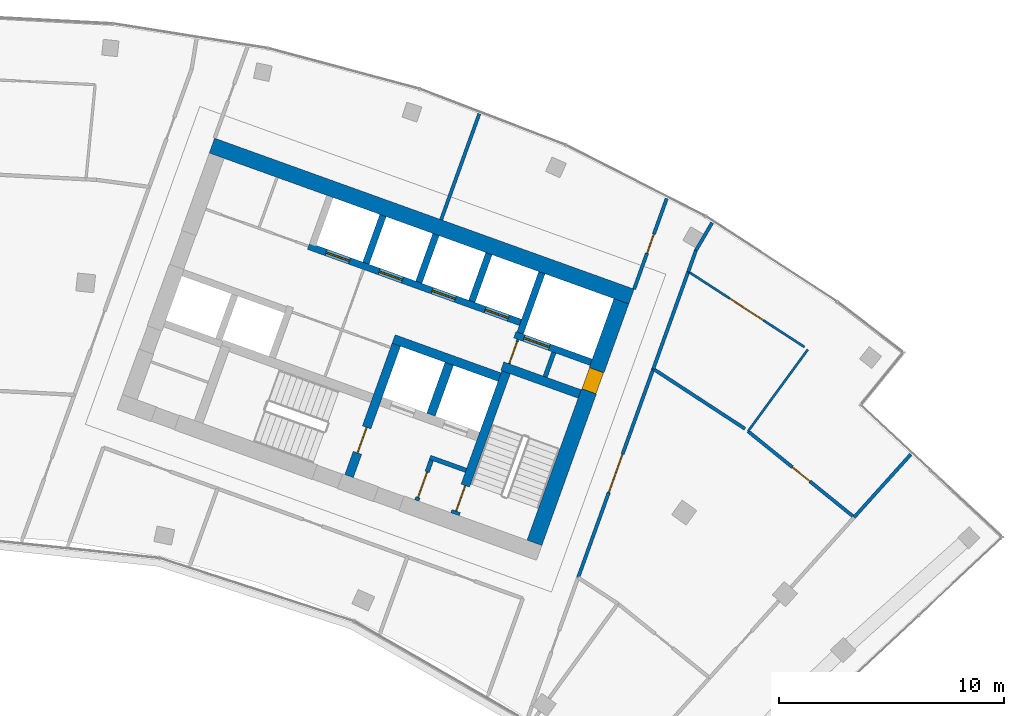
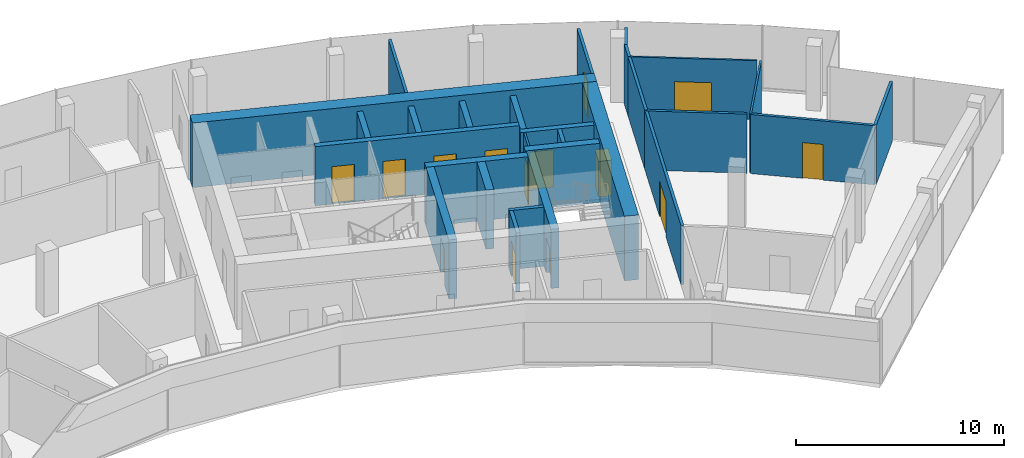
# One storey, part 16 of 18: 28 walls, 14 doors, 14 openings.
"""IFC4 building model written with IfcOpenShell, lengths in metres."""

from ifc_helpers import new_model, si_unit, direction, frame, frame_2d, origin, place, context, subcontext, project, spatial, rectangle, extrude, material, layer, layer_set, type_object, element, fill, save


model = new_model("IFC4")

# Units and contexts
model_context = context("Model", 3, precision=1e-05, world=origin(), true_north=direction((0.0, 1.0)))
body_context = subcontext(model_context, "Body", "Model", "MODEL_VIEW")
ifc_project = project(units=[si_unit("LENGTHUNIT", "METRE"), si_unit("AREAUNIT", "SQUARE_METRE"), si_unit("VOLUMEUNIT", "CUBIC_METRE"), si_unit("PLANEANGLEUNIT", "RADIAN"), si_unit("MASSUNIT", "GRAM", prefix="KILO")], contexts=[model_context])

# Site, building, storey
site_placement = place(None, origin())
site = spatial("IfcSite", under=ifc_project, at=site_placement, CompositionType="ELEMENT")
building_placement = place(site_placement, origin())
building = spatial("IfcBuilding", under=site, at=building_placement, Name="Stone Belt Terrace Tower", CompositionType="ELEMENT")
storey_placement = place(building_placement, frame((0.0, 0.0, 261.800048828125)))
storey = spatial("IfcBuildingStorey", under=building, at=storey_placement, Name="L63", CompositionType="ELEMENT", Elevation=261.800048828125)

# Wall, opening, door
ifc_material_1 = material(Name="Plasterboard partition")
ifc_layer_1 = layer(ifc_material_1, 0.10009765625)
ifc_layer_set_1 = layer_set([ifc_layer_1], Name="Core partition 100")
wall_type_1 = type_object("IfcWallType", Name="Core partition 100", PredefinedType="PARTITIONING", material=ifc_layer_set_1)
wall_1_placement = place(storey_placement, frame((24.555908203125, 51.10400390625, 0.0), z_axis=(0.0, 0.0, 1.0), x_axis=(0.338621735342, 0.94092258999, 0.0)))
wall_1 = element("IfcWall", 1, at=wall_1_placement, inside=storey, type_object=wall_type_1, Name="Core B wall", PredefinedType="PARTITIONING", context=body_context, shape_type="SweptSolid", body=[
    extrude(rectangle(XDim=1.14990234375, YDim=0.10009765625, at=frame_2d((0.574951171875, 0.0))), origin(), (0.0, 0.0, 1.0), 3.47998046875),
])
opening_1_placement = place(wall_1_placement, frame((0.050048828125, 0.0, 0.0)))
opening_1 = element("IfcOpeningElement", 2, at=opening_1_placement, cuts=wall_1, Name="Opening L63-C21", PredefinedType="OPENING", context=body_context, shape_type="SweptSolid", body=[
    extrude(rectangle(XDim=1.0, YDim=2.10009765625, at=frame_2d((0.5, 1.050048828125))), frame((0.0, 0.06005859375, 0.0), z_axis=(0.0, -1.0, 0.0), x_axis=(1.0, 0.0, 0.0)), (0.0, 0.0, 1.0), 0.1201171875),
])
ifc_material_2 = material(Name="Timber door leaf", Category="wood")
door_type_1 = type_object("IfcDoorType", Name="Core room door 1000", OperationType="SINGLE_SWING_LEFT", PredefinedType="DOOR", material=ifc_material_2)
door_1_placement = place(opening_1_placement, origin())
door_1 = element("IfcDoor", 3, at=door_1_placement, inside=storey, type_object=door_type_1, Name="Service lift lobby door core B", OperationType="SINGLE_SWING_LEFT", OverallHeight=2.10009765625, OverallWidth=1.0, PredefinedType="DOOR", context=body_context, shape_type="SweptSolid", body=[
    extrude(rectangle(XDim=1.0, YDim=2.10009765625, at=frame_2d((0.5, 1.050048828125))), frame((0.0, 0.02490234375, 0.0), z_axis=(0.0, -1.0, 0.0), x_axis=(1.0, 0.0, 0.0)), (0.0, 0.0, 1.0), 0.050048828125),
])
fill(opening_1, door_1)

# Wall
ifc_material_3 = material(Name="Concrete B60", Category="concrete")
ifc_layer_2 = layer(ifc_material_3, 0.699951171875)
ifc_layer_set_2 = layer_set([ifc_layer_2], Name="Core wall 700 B60")
wall_type_2 = type_object("IfcWallType", Name="Core wall 700 B60", PredefinedType="SHEAR", material=ifc_layer_set_2)
wall_2_placement = place(storey_placement, frame((11.35791015625, 60.795654296875, 0.0), z_axis=(0.0, 0.0, 1.0), x_axis=(0.940919787944, -0.33862952124, 0.0)))
element("IfcWall", 4, at=wall_2_placement, inside=storey, type_object=wall_type_2, Name="Core B wall convex L63", PredefinedType="SHEAR", context=body_context, shape_type="SweptSolid", body=[
    extrude(rectangle(XDim=19.7998046875, YDim=0.699951171875, at=frame_2d((9.89990234375, 0.0))), origin(), (0.0, 0.0, 1.0), 3.800048828125),
])

# Wall, opening, door
wall_3_placement = place(storey_placement, frame((25.679931640625, 43.153564453125, 0.0), z_axis=(0.0, 0.0, 1.0), x_axis=(0.338625431531, 0.940921259788, 0.0)))
wall_3 = element("IfcWall", 5, at=wall_3_placement, inside=storey, type_object=wall_type_2, Name="Core B wall end_b L63", PredefinedType="SHEAR", context=body_context, shape_type="SweptSolid", body=[
    extrude(rectangle(XDim=11.400146484375, YDim=0.699951171875, at=frame_2d((5.7001953125, 0.0))), origin(), (0.0, 0.0, 1.0), 3.800048828125),
])
opening_2_placement = place(wall_3_placement, frame((7.14990234375, 0.0, 0.0)))
opening_2 = element("IfcOpeningElement", 6, at=opening_2_placement, cuts=wall_3, Name="Opening L63-C20", PredefinedType="OPENING", context=body_context, shape_type="SweptSolid", body=[
    extrude(rectangle(XDim=1.0, YDim=2.10009765625, at=frame_2d((0.5, 1.050048828125))), frame((0.0, 0.35986328125, 0.0), z_axis=(0.0, -1.0, 0.0), x_axis=(1.0, 0.0, 0.0)), (0.0, 0.0, 1.0), 0.719970703125),
])
door_2_placement = place(opening_2_placement, origin())
door_2 = element("IfcDoor", 7, at=door_2_placement, inside=storey, type_object=door_type_1, Name="Door to Telecommunications riser room core B", OperationType="SINGLE_SWING_RIGHT", OverallHeight=2.10009765625, OverallWidth=1.0, PredefinedType="DOOR", context=body_context, shape_type="SweptSolid", body=[
    extrude(rectangle(XDim=1.0, YDim=2.10009765625, at=frame_2d((0.5, 1.050048828125))), frame((0.0, 0.330078125, 0.0), z_axis=(0.0, -1.0, 0.0), x_axis=(1.0, 0.0, 0.0)), (0.0, 0.0, 1.0), 0.659912109375),
])
fill(opening_2, door_2)

# Walls
ifc_material_4 = material(Name="Concrete B80", Category="concrete")
ifc_layer_3 = layer(ifc_material_4, 0.39990234375)
ifc_layer_set_3 = layer_set([ifc_layer_3], Name="Fire-fighting lift shaft wall 400")
wall_type_3 = type_object("IfcWallType", Name="Fire-fighting lift shaft wall 400", PredefinedType="SHEAR", material=ifc_layer_set_3)
wall_4_placement = place(storey_placement, frame((24.130615234375, 50.512939453125, 0.0), z_axis=(0.0, 0.0, 1.0), x_axis=(-0.94091168377, 0.338652038744, 0.0)))
element("IfcWall", 8, at=wall_4_placement, inside=storey, type_object=wall_type_3, Name="Core B wall", PredefinedType="SHEAR", context=body_context, shape_type="SweptSolid", body=[
    extrude(rectangle(XDim=5.000244140625, YDim=0.39990234375, at=frame_2d((2.5, 0.0))), origin(), (0.0, 0.0, 1.0), 3.47998046875),
])
wall_5_placement = place(storey_placement, frame((21.0859375, 48.845458984375, 0.0), z_axis=(0.0, 0.0, 1.0), x_axis=(0.338629416206, 0.940919825745, 0.0)))
element("IfcWall", 9, at=wall_5_placement, inside=storey, type_object=wall_type_3, Name="Core B wall", PredefinedType="SHEAR", context=body_context, shape_type="SweptSolid", body=[
    extrude(rectangle(XDim=2.400146484375, YDim=0.39990234375, at=frame_2d((1.2001953125, 0.0))), origin(), (0.0, 0.0, 1.0), 3.47998046875),
])

# Wall, opening, door
ifc_layer_4 = layer(ifc_material_4, 0.300048828125)
ifc_layer_set_4 = layer_set([ifc_layer_4], Name="Lift shaft wall 300")
wall_type_4 = type_object("IfcWallType", Name="Lift shaft wall 300", PredefinedType="SHEAR", material=ifc_layer_set_4)
wall_6_placement = place(storey_placement, frame((28.195068359375, 51.17578125, 0.0), z_axis=(0.0, 0.0, 1.0), x_axis=(-0.940901243567, 0.338681044427, 0.0)))
wall_6 = element("IfcWall", 10, at=wall_6_placement, inside=storey, type_object=wall_type_4, Name="Core B wall", PredefinedType="SHEAR", context=body_context, shape_type="SweptSolid", body=[
    extrude(rectangle(XDim=3.599853515625, YDim=0.300048828125, at=frame_2d((1.7998046875, 0.0))), origin(), (0.0, 0.0, 1.0), 3.47998046875),
])
opening_3_placement = place(wall_6_placement, frame((1.969970703125, 0.0, 0.0)))
opening_3 = element("IfcOpeningElement", 11, at=opening_3_placement, cuts=wall_6, Name="Opening L63-LD14", PredefinedType="OPENING", context=body_context, shape_type="SweptSolid", body=[
    extrude(rectangle(XDim=1.199951171875, YDim=2.199951171875, at=frame_2d((0.60009765625, 1.10009765625))), frame((0.0, 0.159912109375, 0.0), z_axis=(0.0, -1.0, 0.0), x_axis=(1.0, 0.0, 0.0)), (0.0, 0.0, 1.0), 0.320068359375),
])
ifc_material_5 = material(Name="Stainless steel door leaf", Category="steel")
door_type_2 = type_object("IfcDoorType", Name="Landing door 1200", OperationType="SLIDING_TO_LEFT", PredefinedType="DOOR", material=ifc_material_5)
door_3_placement = place(opening_3_placement, origin())
door_3 = element("IfcDoor", 12, at=door_3_placement, inside=storey, type_object=door_type_2, Name="Landing door SV1 core B", OperationType="SLIDING_TO_LEFT", OverallHeight=2.199951171875, OverallWidth=1.199951171875, PredefinedType="DOOR", context=body_context, shape_type="SweptSolid", body=[
    extrude(rectangle(XDim=1.199951171875, YDim=2.199951171875, at=frame_2d((0.60009765625, 1.10009765625))), frame((0.0, 0.02490234375, 0.0), z_axis=(0.0, -1.0, 0.0), x_axis=(1.0, 0.0, 0.0)), (0.0, 0.0, 1.0), 0.050048828125),
])
fill(opening_3, door_3)

# Wall
wall_7_placement = place(storey_placement, frame((25.046875, 52.46826171875, 0.0), z_axis=(0.0, 0.0, 1.0), x_axis=(0.338549588058, 0.940948551423, 0.0)))
element("IfcWall", 13, at=wall_7_placement, inside=storey, type_object=wall_type_4, Name="Core B wall", PredefinedType="SHEAR", context=body_context, shape_type="SweptSolid", body=[
    extrude(rectangle(XDim=2.849853515625, YDim=0.300048828125, at=frame_2d((1.4248046875, 0.0))), origin(), (0.0, 0.0, 1.0), 3.47998046875),
])

# Wall, openings, doors
wall_8_placement = place(storey_placement, frame((25.05810546875, 52.9423828125, 0.0), z_axis=(0.0, 0.0, 1.0), x_axis=(-0.940924441602, 0.338616590255, 0.0)))
wall_8 = element("IfcWall", 14, at=wall_8_placement, inside=storey, type_object=wall_type_4, Name="Core B wall", PredefinedType="SHEAR", context=body_context, shape_type="SweptSolid", body=[
    extrude(rectangle(XDim=10.000244140625, YDim=0.300048828125, at=frame_2d((5.0, 0.0))), origin(), (0.0, 0.0, 1.0), 3.47998046875),
])
opening_4_placement = place(wall_8_placement, frame((0.570068359375, 0.0, 0.0)))
opening_4 = element("IfcOpeningElement", 15, at=opening_4_placement, cuts=wall_8, Name="Opening L63-LD08", PredefinedType="OPENING", context=body_context, shape_type="SweptSolid", body=[
    extrude(rectangle(XDim=1.10009765625, YDim=2.199951171875, at=frame_2d((0.550048828125, 1.10009765625))), frame((0.0, 0.159912109375, 0.0), z_axis=(0.0, -1.0, 0.0), x_axis=(1.0, 0.0, 0.0)), (0.0, 0.0, 1.0), 0.320068359375),
])
opening_5_placement = place(wall_8_placement, frame((3.070068359375, 0.0, 0.0)))
opening_5 = element("IfcOpeningElement", 16, at=opening_5_placement, cuts=wall_8, Name="Opening L63-LD09", PredefinedType="OPENING", context=body_context, shape_type="SweptSolid", body=[
    extrude(rectangle(XDim=1.10009765625, YDim=2.199951171875, at=frame_2d((0.550048828125, 1.10009765625))), frame((0.0, 0.159912109375, 0.0), z_axis=(0.0, -1.0, 0.0), x_axis=(1.0, 0.0, 0.0)), (0.0, 0.0, 1.0), 0.320068359375),
])
opening_6_placement = place(wall_8_placement, frame((5.570068359375, 0.0, 0.0)))
opening_6 = element("IfcOpeningElement", 17, at=opening_6_placement, cuts=wall_8, Name="Opening L63-LD10", PredefinedType="OPENING", context=body_context, shape_type="SweptSolid", body=[
    extrude(rectangle(XDim=1.10009765625, YDim=2.199951171875, at=frame_2d((0.550048828125, 1.10009765625))), frame((0.0, 0.159912109375, 0.0), z_axis=(0.0, -1.0, 0.0), x_axis=(1.0, 0.0, 0.0)), (0.0, 0.0, 1.0), 0.320068359375),
])
opening_7_placement = place(wall_8_placement, frame((8.070068359375, 0.0, 0.0)))
opening_7 = element("IfcOpeningElement", 18, at=opening_7_placement, cuts=wall_8, Name="Opening L63-LD11", PredefinedType="OPENING", context=body_context, shape_type="SweptSolid", body=[
    extrude(rectangle(XDim=1.10009765625, YDim=2.199951171875, at=frame_2d((0.550048828125, 1.10009765625))), frame((0.0, 0.159912109375, 0.0), z_axis=(0.0, -1.0, 0.0), x_axis=(1.0, 0.0, 0.0)), (0.0, 0.0, 1.0), 0.320068359375),
])
door_type_3 = type_object("IfcDoorType", Name="Landing door 1100", OperationType="SLIDING_TO_LEFT", PredefinedType="DOOR", material=ifc_material_5)
door_4_placement = place(opening_4_placement, origin())
door_4 = element("IfcDoor", 19, at=door_4_placement, inside=storey, type_object=door_type_3, Name="Landing door HR1 core B", OperationType="SLIDING_TO_LEFT", OverallHeight=2.199951171875, OverallWidth=1.10009765625, PredefinedType="DOOR", context=body_context, shape_type="SweptSolid", body=[
    extrude(rectangle(XDim=1.10009765625, YDim=2.199951171875, at=frame_2d((0.550048828125, 1.10009765625))), frame((0.0, 0.02490234375, 0.0), z_axis=(0.0, -1.0, 0.0), x_axis=(1.0, 0.0, 0.0)), (0.0, 0.0, 1.0), 0.050048828125),
])
fill(opening_4, door_4)
door_5_placement = place(opening_5_placement, origin())
door_5 = element("IfcDoor", 20, at=door_5_placement, inside=storey, type_object=door_type_3, Name="Landing door HR2 core B", OperationType="SLIDING_TO_LEFT", OverallHeight=2.199951171875, OverallWidth=1.10009765625, PredefinedType="DOOR", context=body_context, shape_type="SweptSolid", body=[
    extrude(rectangle(XDim=1.10009765625, YDim=2.199951171875, at=frame_2d((0.550048828125, 1.10009765625))), frame((0.0, 0.02490234375, 0.0), z_axis=(0.0, -1.0, 0.0), x_axis=(1.0, 0.0, 0.0)), (0.0, 0.0, 1.0), 0.050048828125),
])
fill(opening_5, door_5)
door_6_placement = place(opening_6_placement, origin())
door_6 = element("IfcDoor", 21, at=door_6_placement, inside=storey, type_object=door_type_3, Name="Landing door HR3 core B", OperationType="SLIDING_TO_LEFT", OverallHeight=2.199951171875, OverallWidth=1.10009765625, PredefinedType="DOOR", context=body_context, shape_type="SweptSolid", body=[
    extrude(rectangle(XDim=1.10009765625, YDim=2.199951171875, at=frame_2d((0.550048828125, 1.10009765625))), frame((0.0, 0.02490234375, 0.0), z_axis=(0.0, -1.0, 0.0), x_axis=(1.0, 0.0, 0.0)), (0.0, 0.0, 1.0), 0.050048828125),
])
fill(opening_6, door_6)
door_7_placement = place(opening_7_placement, origin())
door_7 = element("IfcDoor", 22, at=door_7_placement, inside=storey, type_object=door_type_3, Name="Landing door HR4 core B", OperationType="SLIDING_TO_LEFT", OverallHeight=2.199951171875, OverallWidth=1.10009765625, PredefinedType="DOOR", context=body_context, shape_type="SweptSolid", body=[
    extrude(rectangle(XDim=1.10009765625, YDim=2.199951171875, at=frame_2d((0.550048828125, 1.10009765625))), frame((0.0, 0.02490234375, 0.0), z_axis=(0.0, -1.0, 0.0), x_axis=(1.0, 0.0, 0.0)), (0.0, 0.0, 1.0), 0.050048828125),
])
fill(opening_7, door_7)

# Walls
wall_9_placement = place(storey_placement, frame((22.897705078125, 53.87939453125, 0.0), z_axis=(0.0, 0.0, 1.0), x_axis=(0.338535034312, 0.940953787677, 0.0)))
element("IfcWall", 23, at=wall_9_placement, inside=storey, type_object=wall_type_4, Name="Core B wall", PredefinedType="SHEAR", context=body_context, shape_type="SweptSolid", body=[
    extrude(rectangle(XDim=2.25, YDim=0.300048828125, at=frame_2d((1.125, 0.0))), origin(), (0.0, 0.0, 1.0), 3.47998046875),
])
wall_10_placement = place(storey_placement, frame((20.54541015625, 54.72607421875, 0.0), z_axis=(0.0, 0.0, 1.0), x_axis=(0.338569601369, 0.940941350472, 0.0)))
element("IfcWall", 24, at=wall_10_placement, inside=storey, type_object=wall_type_4, Name="Core B wall", PredefinedType="SHEAR", context=body_context, shape_type="SweptSolid", body=[
    extrude(rectangle(XDim=2.249755859375, YDim=0.300048828125, at=frame_2d((1.125, 0.0))), origin(), (0.0, 0.0, 1.0), 3.47998046875),
])
wall_11_placement = place(storey_placement, frame((18.193115234375, 55.572509765625, 0.0), z_axis=(0.0, 0.0, 1.0), x_axis=(0.338535034312, 0.940953787677, 0.0)))
element("IfcWall", 25, at=wall_11_placement, inside=storey, type_object=wall_type_4, Name="Core B wall", PredefinedType="SHEAR", context=body_context, shape_type="SweptSolid", body=[
    extrude(rectangle(XDim=2.25, YDim=0.300048828125, at=frame_2d((1.125, 0.0))), origin(), (0.0, 0.0, 1.0), 3.47998046875),
])
ifc_material_6 = material(Name="Gypsum board partition")
ifc_layer_5 = layer(ifc_material_6, 0.10009765625)
ifc_layer_set_5 = layer_set([ifc_layer_5], Name="PARTITION 100")
wall_type_5 = type_object("IfcWallType", Name="PARTITION 100", PredefinedType="PARTITIONING", material=ifc_layer_set_5)
wall_12_placement = place(storey_placement, frame((35.1669921875, 48.10791015625, 0.0), z_axis=(0.0, 0.0, 1.0), x_axis=(0.590276391842, 0.807201202448, 0.0)))
element("IfcWall", 26, at=wall_12_placement, inside=storey, type_object=wall_type_5, Name="L63/wall/i071", PredefinedType="PARTITIONING", context=body_context, shape_type="SweptSolid", body=[
    extrude(rectangle(XDim=4.49951171875, YDim=0.10009765625, at=frame_2d((2.249755859375, 0.0))), origin(), (0.0, 0.0, 1.0), 3.47998046875),
])

# Wall, opening, door
wall_13_placement = place(storey_placement, frame((37.672119140625, 51.85107421875, 0.0), z_axis=(0.0, 0.0, 1.0), x_axis=(-0.838784432024, 0.544463659572, 0.0)))
wall_13 = element("IfcWall", 27, at=wall_13_placement, inside=storey, type_object=wall_type_5, Name="L63/wall/i072", PredefinedType="PARTITIONING", context=body_context, shape_type="SweptSolid", body=[
    extrude(rectangle(XDim=6.15087890625, YDim=0.10009765625, at=frame_2d((3.075439453125, 0.0))), origin(), (0.0, 0.0, 1.0), 3.47998046875),
])
opening_8_placement = place(wall_13_placement, frame((2.17529296875, 0.0, 0.0)))
opening_8 = element("IfcOpeningElement", 28, at=opening_8_placement, cuts=wall_13, Name="Opening D-E1-23", PredefinedType="OPENING", context=body_context, shape_type="SweptSolid", body=[
    extrude(rectangle(XDim=1.800048828125, YDim=2.10009765625, at=frame_2d((0.89990234375, 1.050048828125))), frame((0.0, 0.06005859375, 0.0), z_axis=(0.0, -1.0, 0.0), x_axis=(1.0, 0.0, 0.0)), (0.0, 0.0, 1.0), 0.1201171875),
])
door_type_4 = type_object("IfcDoorType", Name="DOUBLE DOOR 1800 X 2100", OperationType="DOUBLE_DOOR_SINGLE_SWING", PredefinedType="DOOR", material=ifc_material_2)
door_8_placement = place(opening_8_placement, origin())
door_8 = element("IfcDoor", 29, at=door_8_placement, inside=storey, type_object=door_type_4, Name="L63/door/i23", OperationType="DOUBLE_DOOR_SINGLE_SWING", OverallHeight=2.10009765625, OverallWidth=1.800048828125, PredefinedType="DOOR", context=body_context, shape_type="SweptSolid", body=[
    extrude(rectangle(XDim=1.800048828125, YDim=2.10009765625, at=frame_2d((0.89990234375, 1.050048828125))), frame((0.0, 0.02490234375, 0.0), z_axis=(0.0, -1.0, 0.0), x_axis=(1.0, 0.0, 0.0)), (0.0, 0.0, 1.0), 0.050048828125),
])
fill(opening_8, door_8)

ifc_layer_6 = layer(ifc_material_6, 0.14990234375)
ifc_layer_set_6 = layer_set([ifc_layer_6], Name="PARTITION 150 EI 60")
wall_type_6 = type_object("IfcWallType", Name="PARTITION 150 EI 60", PredefinedType="PARTITIONING", material=ifc_layer_set_6)
wall_14_placement = place(storey_placement, frame((30.10595703125, 54.4208984375, 0.0), z_axis=(0.0, 0.0, 1.0), x_axis=(0.338725523051, 0.940885232127, 0.0)))
wall_14 = element("IfcWall", 30, at=wall_14_placement, inside=storey, type_object=wall_type_6, Name="L63/wall/i029", PredefinedType="PARTITIONING", context=body_context, shape_type="SweptSolid", body=[
    extrude(rectangle(XDim=4.283447265625, YDim=0.14990234375, at=frame_2d((2.1416015625, 0.0))), origin(), (0.0, 0.0, 1.0), 3.47998046875),
])
opening_9_placement = place(wall_14_placement, frame((1.691650390625, 0.0, 0.0)))
opening_9 = element("IfcOpeningElement", 31, at=opening_9_placement, cuts=wall_14, Name="Opening D-E1-10", PredefinedType="OPENING", context=body_context, shape_type="SweptSolid", body=[
    extrude(rectangle(XDim=0.89990234375, YDim=2.10009765625, at=frame_2d((0.449951171875, 1.050048828125))), frame((0.0, 0.0849609375, 0.0), z_axis=(0.0, -1.0, 0.0), x_axis=(1.0, 0.0, 0.0)), (0.0, 0.0, 1.0), 0.169921875),
])
door_type_5 = type_object("IfcDoorType", Name="OFFICE DOOR 900 X 2100", OperationType="NOTDEFINED", PredefinedType="DOOR", material=ifc_material_2)
door_9_placement = place(opening_9_placement, origin())
door_9 = element("IfcDoor", 32, at=door_9_placement, inside=storey, type_object=door_type_5, Name="L63/door/i10", OperationType="SINGLE_SWING_RIGHT", OverallHeight=2.10009765625, OverallWidth=0.89990234375, PredefinedType="DOOR", context=body_context, shape_type="SweptSolid", body=[
    extrude(rectangle(XDim=0.89990234375, YDim=2.10009765625, at=frame_2d((0.449951171875, 1.050048828125))), frame((0.0, 0.02490234375, 0.0), z_axis=(0.0, -1.0, 0.0), x_axis=(1.0, 0.0, 0.0)), (0.0, 0.0, 1.0), 0.050048828125),
])
fill(opening_9, door_9)

# Walls
wall_15_placement = place(storey_placement, frame((33.576416015625, 57.37841796875, 0.0), z_axis=(0.0, 0.0, 1.0), x_axis=(-0.505064935992, -0.863081346358, 0.0)))
element("IfcWall", 33, at=wall_15_placement, inside=storey, type_object=wall_type_6, Name="L63/wall/i032", PredefinedType="PARTITIONING", context=body_context, shape_type="SweptSolid", body=[
    extrude(rectangle(XDim=1.43603515625, YDim=0.14990234375, at=frame_2d((0.718017578125, 0.0))), origin(), (0.0, 0.0, 1.0), 3.47998046875),
])
wall_16_placement = place(storey_placement, frame((32.85107421875, 56.138916015625, 0.0), z_axis=(0.0, 0.0, 1.0), x_axis=(-0.338676421288, -0.940902907671, 0.0)))
element("IfcWall", 34, at=wall_16_placement, inside=storey, type_object=wall_type_6, Name="L63/wall/i033", PredefinedType="PARTITIONING", context=body_context, shape_type="SweptSolid", body=[
    extrude(rectangle(XDim=1.004150390625, YDim=0.14990234375, at=frame_2d((0.501953125, 0.0))), origin(), (0.0, 0.0, 1.0), 3.47998046875),
])
wall_17_placement = place(storey_placement, frame((32.514892578125, 55.2060546875, 0.0), z_axis=(0.0, 0.0, 1.0), x_axis=(-0.338586142837, -0.940935398356, 0.0)))
element("IfcWall", 35, at=wall_17_placement, inside=storey, type_object=wall_type_6, Name="L63/wall/i034", PredefinedType="PARTITIONING", context=body_context, shape_type="SweptSolid", body=[
    extrude(rectangle(XDim=4.60400390625, YDim=0.14990234375, at=frame_2d((2.302001953125, 0.0))), origin(), (0.0, 0.0, 1.0), 3.47998046875),
])

# Wall, opening, door
wall_18_placement = place(storey_placement, frame((30.9599609375, 50.885986328125, 0.0), z_axis=(0.0, 0.0, 1.0), x_axis=(-0.338672159599, -0.940904441648, 0.0)))
wall_18 = element("IfcWall", 36, at=wall_18_placement, inside=storey, type_object=wall_type_6, Name="L63/wall/i035", PredefinedType="PARTITIONING", context=body_context, shape_type="SweptSolid", body=[
    extrude(rectangle(XDim=9.8681640625, YDim=0.14990234375, at=frame_2d((4.93408203125, 0.0))), origin(), (0.0, 0.0, 1.0), 3.47998046875),
])
opening_10_placement = place(wall_18_placement, frame((4.0341796875, 0.0, 0.0)))
opening_10 = element("IfcOpeningElement", 37, at=opening_10_placement, cuts=wall_18, Name="Opening D-E1-24", PredefinedType="OPENING", context=body_context, shape_type="SweptSolid", body=[
    extrude(rectangle(XDim=1.800048828125, YDim=2.10009765625, at=frame_2d((0.89990234375, 1.050048828125))), frame((0.0, 0.0849609375, 0.0), z_axis=(0.0, -1.0, 0.0), x_axis=(1.0, 0.0, 0.0)), (0.0, 0.0, 1.0), 0.169921875),
])
door_10_placement = place(opening_10_placement, origin())
door_10 = element("IfcDoor", 38, at=door_10_placement, inside=storey, type_object=door_type_4, Name="L63/door/i24", OperationType="DOUBLE_DOOR_SINGLE_SWING", OverallHeight=2.10009765625, OverallWidth=1.800048828125, PredefinedType="DOOR", context=body_context, shape_type="SweptSolid", body=[
    extrude(rectangle(XDim=1.800048828125, YDim=2.10009765625, at=frame_2d((0.89990234375, 1.050048828125))), frame((0.0, 0.02490234375, 0.0), z_axis=(0.0, -1.0, 0.0), x_axis=(1.0, 0.0, 0.0)), (0.0, 0.0, 1.0), 0.050048828125),
])
fill(opening_10, door_10)

# Walls
wall_19_placement = place(storey_placement, frame((23.23291015625, 62.215087890625, 0.0), z_axis=(0.0, 0.0, 1.0), x_axis=(-0.338679756351, -0.940901707214, 0.0)))
element("IfcWall", 39, at=wall_19_placement, inside=storey, type_object=wall_type_6, Name="L63/wall/i041", PredefinedType="PARTITIONING", context=body_context, shape_type="SweptSolid", body=[
    extrude(rectangle(XDim=5.007080078125, YDim=0.14990234375, at=frame_2d((2.50341796875, 0.0))), origin(), (0.0, 0.0, 1.0), 3.47998046875),
])
wall_20_placement = place(storey_placement, frame((39.8759765625, 44.285888671875, 0.0), z_axis=(0.0, 0.0, 1.0), x_axis=(0.669068459203, 0.743200778323, 0.0)))
element("IfcWall", 40, at=wall_20_placement, inside=storey, type_object=wall_type_6, Name="L63/wall/i064", PredefinedType="PARTITIONING", context=body_context, shape_type="SweptSolid", body=[
    extrude(rectangle(XDim=3.770751953125, YDim=0.14990234375, at=frame_2d((1.88525390625, 0.0))), origin(), (0.0, 0.0, 1.0), 3.47998046875),
])

# Wall, opening, door
wall_21_placement = place(storey_placement, frame((35.1669921875, 48.10791015625, 0.0), z_axis=(0.0, 0.0, 1.0), x_axis=(0.777107980833, -0.62936729032, 0.0)))
wall_21 = element("IfcWall", 41, at=wall_21_placement, inside=storey, type_object=wall_type_6, Name="L63/wall/i073", PredefinedType="PARTITIONING", context=body_context, shape_type="SweptSolid", body=[
    extrude(rectangle(XDim=6.064697265625, YDim=0.14990234375, at=frame_2d((3.0322265625, 0.0))), origin(), (0.0, 0.0, 1.0), 3.47998046875),
])
opening_11_placement = place(wall_21_placement, frame((2.532470703125, 0.0, 0.0)))
opening_11 = element("IfcOpeningElement", 42, at=opening_11_placement, cuts=wall_21, Name="Opening D-E1-22", PredefinedType="OPENING", context=body_context, shape_type="SweptSolid", body=[
    extrude(rectangle(XDim=1.0, YDim=2.10009765625, at=frame_2d((0.5, 1.050048828125))), frame((0.0, 0.0849609375, 0.0), z_axis=(0.0, -1.0, 0.0), x_axis=(1.0, 0.0, 0.0)), (0.0, 0.0, 1.0), 0.169921875),
])
ifc_material_7 = material(Name="Timber fire door leaf", Category="wood")
door_type_6 = type_object("IfcDoorType", Name="TENANCY ENTRANCE DOOR 1000 X 2100", OperationType="NOTDEFINED", PredefinedType="DOOR", material=ifc_material_7)
door_11_placement = place(opening_11_placement, origin())
door_11 = element("IfcDoor", 43, at=door_11_placement, inside=storey, type_object=door_type_6, Name="L63/door/i22", OperationType="SINGLE_SWING_RIGHT", OverallHeight=2.10009765625, OverallWidth=1.0, PredefinedType="DOOR", context=body_context, shape_type="SweptSolid", body=[
    extrude(rectangle(XDim=1.0, YDim=2.10009765625, at=frame_2d((0.5, 1.050048828125))), frame((0.0, 0.02490234375, 0.0), z_axis=(0.0, -1.0, 0.0), x_axis=(1.0, 0.0, 0.0)), (0.0, 0.0, 1.0), 0.050048828125),
])
fill(opening_11, door_11)

# Walls
wall_22_placement = place(storey_placement, frame((35.031982421875, 48.217041015625, 0.0), z_axis=(0.0, 0.0, 1.0), x_axis=(-0.837055321155, 0.547118258995, 0.0)))
element("IfcWall", 44, at=wall_22_placement, inside=storey, type_object=wall_type_6, Name="L63/wall/i074", PredefinedType="PARTITIONING", context=body_context, shape_type="SweptSolid", body=[
    extrude(rectangle(XDim=4.866943359375, YDim=0.14990234375, at=frame_2d((2.43359375, 0.0))), origin(), (0.0, 0.0, 1.0), 3.47998046875),
])
ifc_material_8 = material(Name="Concrete masonry block", Category="masonry")
ifc_layer_7 = layer(ifc_material_8, 0.199951171875)
ifc_layer_set_7 = layer_set([ifc_layer_7], Name="Rated lobby wall 200")
wall_type_7 = type_object("IfcWallType", Name="Rated lobby wall 200", PredefinedType="PARTITIONING", material=ifc_layer_set_7)
wall_23_placement = place(storey_placement, frame((26.1552734375, 50.5283203125, 0.0), z_axis=(0.0, 0.0, 1.0), x_axis=(0.338621735342, 0.94092258999, 0.0)))
element("IfcWall", 45, at=wall_23_placement, inside=storey, type_object=wall_type_7, Name="Core B wall", PredefinedType="PARTITIONING", context=body_context, shape_type="SweptSolid", body=[
    extrude(rectangle(XDim=1.14990234375, YDim=0.199951171875, at=frame_2d((0.574951171875, 0.0))), origin(), (0.0, 0.0, 1.0), 3.47998046875),
])
wall_24_placement = place(storey_placement, frame((22.640625, 46.373046875, 0.0), z_axis=(0.0, 0.0, 1.0), x_axis=(-0.940966110313, 0.338500781747, 0.0)))
element("IfcWall", 46, at=wall_24_placement, inside=storey, type_object=wall_type_7, Name="Core B wall", PredefinedType="PARTITIONING", context=body_context, shape_type="SweptSolid", body=[
    extrude(rectangle(XDim=1.699951171875, YDim=0.199951171875, at=frame_2d((0.85009765625, 0.0))), origin(), (0.0, 0.0, 1.0), 3.47998046875),
])

# Wall, opening, door
wall_25_placement = place(storey_placement, frame((20.4580078125, 45.032958984375, 0.0), z_axis=(0.0, 0.0, 1.0), x_axis=(0.338573865316, 0.940939816208, 0.0)))
wall_25 = element("IfcWall", 47, at=wall_25_placement, inside=storey, type_object=wall_type_7, Name="Core B wall", PredefinedType="PARTITIONING", context=body_context, shape_type="SweptSolid", body=[
    extrude(rectangle(XDim=1.900146484375, YDim=0.199951171875, at=frame_2d((0.9501953125, 0.0))), origin(), (0.0, 0.0, 1.0), 3.47998046875),
])
opening_12_placement = place(wall_25_placement, frame((0.14990234375, 0.0, 0.0)))
opening_12 = element("IfcOpeningElement", 48, at=opening_12_placement, cuts=wall_25, Name="Opening L63-C25", PredefinedType="OPENING", context=body_context, shape_type="SweptSolid", body=[
    extrude(rectangle(XDim=1.199951171875, YDim=2.10009765625, at=frame_2d((0.60009765625, 1.050048828125))), frame((0.0, 0.10986328125, 0.0), z_axis=(0.0, -1.0, 0.0), x_axis=(1.0, 0.0, 0.0)), (0.0, 0.0, 1.0), 0.219970703125),
])
ifc_material_9 = material(Name="Steel door leaf", Category="steel")
door_type_7 = type_object("IfcDoorType", Name="Stair door 1200", OperationType="SINGLE_SWING_LEFT", PredefinedType="DOOR", material=ifc_material_9)
door_12_placement = place(opening_12_placement, origin())
door_12 = element("IfcDoor", 49, at=door_12_placement, inside=storey, type_object=door_type_7, Name="Stair airlock door core B", OperationType="SINGLE_SWING_LEFT", OverallHeight=2.10009765625, OverallWidth=1.199951171875, PredefinedType="DOOR", context=body_context, shape_type="SweptSolid", body=[
    extrude(rectangle(XDim=1.199951171875, YDim=2.10009765625, at=frame_2d((0.60009765625, 1.050048828125))), frame((0.0, 0.02490234375, 0.0), z_axis=(0.0, -1.0, 0.0), x_axis=(1.0, 0.0, 0.0)), (0.0, 0.0, 1.0), 0.050048828125),
])
fill(opening_12, door_12)

# Wall
ifc_layer_8 = layer(ifc_material_4, 0.39990234375)
ifc_layer_set_8 = layer_set([ifc_layer_8], Name="Stair enclosure wall 400")
wall_type_8 = type_object("IfcWallType", Name="Stair enclosure wall 400", PredefinedType="SHEAR", material=ifc_layer_set_8)
wall_26_placement = place(storey_placement, frame((27.687255859375, 49.764404296875, 0.0), z_axis=(0.0, 0.0, 1.0), x_axis=(-0.940918954884, 0.338631835981, 0.0)))
element("IfcWall", 50, at=wall_26_placement, inside=storey, type_object=wall_type_8, Name="Core B wall", PredefinedType="SHEAR", context=body_context, shape_type="SweptSolid", body=[
    extrude(rectangle(XDim=3.650146484375, YDim=0.39990234375, at=frame_2d((1.8251953125, 0.0))), origin(), (0.0, 0.0, 1.0), 3.47998046875),
])

# Wall, opening, door
wall_27_placement = place(storey_placement, frame((22.151611328125, 44.42333984375, 0.0), z_axis=(0.0, 0.0, 1.0), x_axis=(0.338625272931, 0.940921316866, 0.0)))
wall_27 = element("IfcWall", 51, at=wall_27_placement, inside=storey, type_object=wall_type_8, Name="Core B wall", PredefinedType="SHEAR", context=body_context, shape_type="SweptSolid", body=[
    extrude(rectangle(XDim=6.699951171875, YDim=0.39990234375, at=frame_2d((3.35009765625, 0.0))), origin(), (0.0, 0.0, 1.0), 3.47998046875),
])
opening_13_placement = place(wall_27_placement, frame((0.14990234375, 0.0, 0.0)))
opening_13 = element("IfcOpeningElement", 52, at=opening_13_placement, cuts=wall_27, Name="Opening L63-C24", PredefinedType="OPENING", context=body_context, shape_type="SweptSolid", body=[
    extrude(rectangle(XDim=1.199951171875, YDim=2.10009765625, at=frame_2d((0.60009765625, 1.050048828125))), frame((0.0, 0.2099609375, 0.0), z_axis=(0.0, -1.0, 0.0), x_axis=(1.0, 0.0, 0.0)), (0.0, 0.0, 1.0), 0.419921875),
])
door_13_placement = place(opening_13_placement, origin())
door_13 = element("IfcDoor", 53, at=door_13_placement, inside=storey, type_object=door_type_7, Name="Stair 1 door core B", OperationType="SINGLE_SWING_LEFT", OverallHeight=2.10009765625, OverallWidth=1.199951171875, PredefinedType="DOOR", context=body_context, shape_type="SweptSolid", body=[
    extrude(rectangle(XDim=1.199951171875, YDim=2.10009765625, at=frame_2d((0.60009765625, 1.050048828125))), frame((0.0, 0.02490234375, 0.0), z_axis=(0.0, -1.0, 0.0), x_axis=(1.0, 0.0, 0.0)), (0.0, 0.0, 1.0), 0.050048828125),
])
fill(opening_13, door_13)

wall_28_placement = place(storey_placement, frame((17.447021484375, 46.116455078125, 0.0), z_axis=(0.0, 0.0, 1.0), x_axis=(0.33860791464, 0.940927563707, 0.0)))
wall_28 = element("IfcWall", 54, at=wall_28_placement, inside=storey, type_object=wall_type_8, Name="Core B wall", PredefinedType="SHEAR", context=body_context, shape_type="SweptSolid", body=[
    extrude(rectangle(XDim=6.199951171875, YDim=0.39990234375, at=frame_2d((3.10009765625, 0.0))), origin(), (0.0, 0.0, 1.0), 3.47998046875),
])
opening_14_placement = place(wall_28_placement, frame((1.10009765625, 0.0, 0.0)))
opening_14 = element("IfcOpeningElement", 55, at=opening_14_placement, cuts=wall_28, Name="Opening L63-C27", PredefinedType="OPENING", context=body_context, shape_type="SweptSolid", body=[
    extrude(rectangle(XDim=1.199951171875, YDim=2.10009765625, at=frame_2d((0.60009765625, 1.050048828125))), frame((0.0, 0.2099609375, 0.0), z_axis=(0.0, -1.0, 0.0), x_axis=(1.0, 0.0, 0.0)), (0.0, 0.0, 1.0), 0.419921875),
])
door_14_placement = place(opening_14_placement, origin())
door_14 = element("IfcDoor", 56, at=door_14_placement, inside=storey, type_object=door_type_7, Name="Stair 2 door core B", OperationType="SINGLE_SWING_LEFT", OverallHeight=2.10009765625, OverallWidth=1.199951171875, PredefinedType="DOOR", context=body_context, shape_type="SweptSolid", body=[
    extrude(rectangle(XDim=1.199951171875, YDim=2.10009765625, at=frame_2d((0.60009765625, 1.050048828125))), frame((0.0, 0.02490234375, 0.0), z_axis=(0.0, -1.0, 0.0), x_axis=(1.0, 0.0, 0.0)), (0.0, 0.0, 1.0), 0.050048828125),
])
fill(opening_14, door_14)

save(model, "model.ifc")
